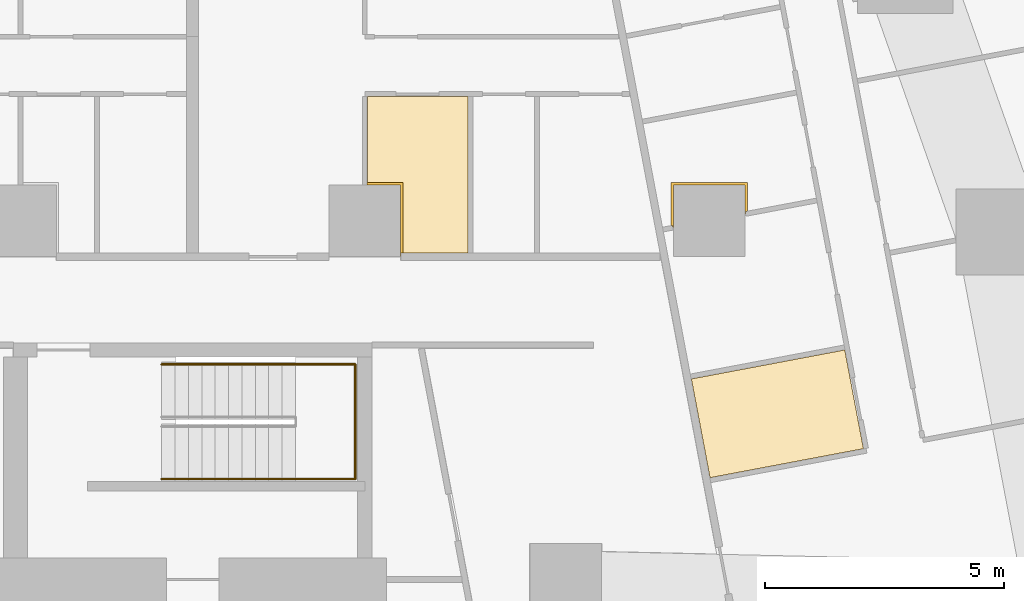
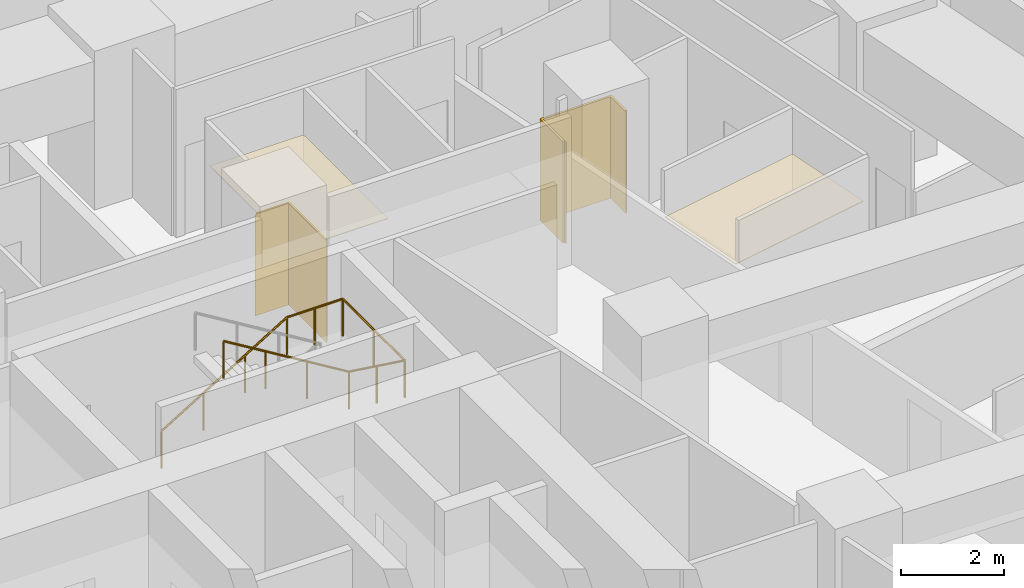
# One storey, part 15 of 15: 4 coverings, 1 railing.
"""IFC4 building model written with IfcOpenShell, lengths in metres."""

import ifcopenshell
import ifcopenshell.guid

model = None  # the IFC model being written
_history = None  # IfcOwnerHistory: only IFC2X3 demands one
_inside = {}  # id of a spatial element -> (the spatial element, [elements in it])
_under = {}  # id of a project, library or spatial element -> (it, [spatial elements below it])
_declared = {}  # id of a project -> (the project, [libraries it declares])
_typed = {}  # id of a type object -> (the type object, [elements of that type])
_made_of = {}  # id of a material, layer set ... -> (it, [elements and type objects made of it])


def new_model(schema):
    """Start an empty IFC model of exactly this schema.

    Asked for "IFC4X3", IfcOpenShell would pick the latest addendum, in which some entities
    have other attributes; the version numbers below select the first issue.
    IFC2X3 requires an IfcOwnerHistory on every rooted entity: one is made here for all.
    """
    global model, _history
    if schema == "IFC4X3":
        model = ifcopenshell.file(schema_version=(4, 3, 0, 0))
    else:
        model = ifcopenshell.file(schema=schema)
    _inside.clear()
    _under.clear()
    _declared.clear()
    _typed.clear()
    _made_of.clear()
    _history = None
    if model.schema == "IFC2X3":
        org = make("IfcOrganization", Name="unknown")
        user = make(
            "IfcPersonAndOrganization",
            ThePerson=make("IfcPerson", FamilyName="unknown"),
            TheOrganization=org,
        )
        app = make(
            "IfcApplication",
            ApplicationDeveloper=org,
            Version="unknown",
            ApplicationFullName="unknown",
            ApplicationIdentifier="unknown",
        )
        _history = make(
            "IfcOwnerHistory",
            OwningUser=user,
            OwningApplication=app,
            ChangeAction="ADDED",
            CreationDate=0,
        )
    return model


def make(cls, **values):
    """One entity of the class cls with the attributes given. An attribute that is None is left unset."""
    return model.create_entity(
        cls, **{name: value for name, value in values.items() if value is not None}
    )


def rooted(cls, **values):
    """An entity with a GlobalId (a new one), such as an element, a storey or a relation."""
    return make(cls, GlobalId=ifcopenshell.guid.new(), OwnerHistory=_history, **values)


def si_unit(unit_type, name, prefix=None):
    """IfcSIUnit, for example si_unit("LENGTHUNIT", "METRE", prefix="MILLI")."""
    return make("IfcSIUnit", UnitType=unit_type, Prefix=prefix, Name=name)


def assignment(units):
    """IfcUnitAssignment: the units of a project."""
    return None if units is None else make("IfcUnitAssignment", Units=units)


def point(xyz):
    """IfcCartesianPoint."""
    return None if xyz is None else make("IfcCartesianPoint", Coordinates=xyz)


def direction(xyz):
    """IfcDirection."""
    return None if xyz is None else make("IfcDirection", DirectionRatios=xyz)


def frame(location, z_axis=None, x_axis=None):
    """IfcAxis2Placement3D, a coordinate frame: its origin and axes. An axis left out is left unset."""
    return make(
        "IfcAxis2Placement3D",
        Location=point(location),
        Axis=direction(z_axis),
        RefDirection=direction(x_axis),
    )


def frame_2d(location, x_axis=None):
    """IfcAxis2Placement2D, a coordinate frame in the plane: its origin and x axis."""
    return make(
        "IfcAxis2Placement2D", Location=point(location), RefDirection=direction(x_axis)
    )


def origin():
    """The frame at (0, 0, 0) with its axes left unset."""
    return frame((0.0, 0.0, 0.0))


def origin_2d():
    """The frame at (0, 0) in the plane with its x axis left unset."""
    return frame_2d((0.0, 0.0))


def place(relative_to, where):
    """IfcLocalPlacement: puts the frame where relative to a parent placement (None: the world)."""
    return make(
        "IfcLocalPlacement", PlacementRelTo=relative_to, RelativePlacement=where
    )


def context(
    kind, dimensions, precision=None, world=None, true_north=None, identifier=None
):
    """IfcGeometricRepresentationContext, for example the 3D "Model" context."""
    return make(
        "IfcGeometricRepresentationContext",
        ContextIdentifier=identifier,
        ContextType=kind,
        CoordinateSpaceDimension=dimensions,
        Precision=precision,
        WorldCoordinateSystem=world,
        TrueNorth=true_north,
    )


def subcontext(parent, identifier, kind, view, scale=None):
    """IfcGeometricRepresentationSubContext, for example "Body" below "Model"."""
    return make(
        "IfcGeometricRepresentationSubContext",
        ContextIdentifier=identifier,
        ContextType=kind,
        ParentContext=parent,
        TargetScale=scale,
        TargetView=view,
    )


def project(units=None, contexts=None):
    """IfcProject with its units and contexts."""
    return rooted(
        "IfcProject",
        Name="project",
        RepresentationContexts=contexts,
        UnitsInContext=assignment(units),
    )


def spatial(cls, under=None, at=None, **own):
    """A site, building, storey or space (cls), placed at a placement, below another one or the project."""
    s = rooted(cls, ObjectPlacement=at, **own)
    if under is not None:
        _under.setdefault(under.id(), (under, []))[1].append(s)
    return s


def polyline(points):
    """IfcPolyline through the points."""
    return make("IfcPolyline", Points=[point(p) for p in points])


def profile(cls, at=None, kind="AREA", **sizes):
    """A parametric profile (cls). Its sizes go by their IFC names, for example OverallWidth=200.0."""
    return make(cls, ProfileType=kind, Position=at, **sizes)


def circle(**sizes):
    """IfcCircleProfileDef."""
    return profile("IfcCircleProfileDef", **sizes)


def outline(outer, holes=None, kind="AREA"):
    """IfcArbitraryClosedProfileDef: a profile drawn as a closed curve; with holes, ...WithVoids."""
    if holes is None:
        return make("IfcArbitraryClosedProfileDef", ProfileType=kind, OuterCurve=outer)
    return make(
        "IfcArbitraryProfileDefWithVoids",
        ProfileType=kind,
        OuterCurve=outer,
        InnerCurves=holes,
    )


def extrude(swept, where, along, depth):
    """IfcExtrudedAreaSolid: the profile swept, set in the frame where, extruded along a direction by depth."""
    return make(
        "IfcExtrudedAreaSolid",
        SweptArea=swept,
        Position=where,
        ExtrudedDirection=direction(along),
        Depth=depth,
    )


def shape(context_of_items, identifier, shape_type, items):
    """IfcShapeRepresentation: the items that make up one representation, for example the "Body"."""
    return make(
        "IfcShapeRepresentation",
        ContextOfItems=context_of_items,
        RepresentationIdentifier=identifier,
        RepresentationType=shape_type,
        Items=items,
    )


def material(Name=None, Category=None):
    """IfcMaterial."""
    return make("IfcMaterial", Name=Name, Category=Category)


def layer(
    of_material, thickness, ventilated=None, Name=None, Category=None, Priority=None
):
    """IfcMaterialLayer: one layer of a wall or slab, of a material (None: an air gap)."""
    return make(
        "IfcMaterialLayer",
        Material=of_material,
        LayerThickness=thickness,
        IsVentilated=ventilated,
        Name=Name,
        Category=Category,
        Priority=Priority,
    )


def layer_set(layers, Name=None):
    """IfcMaterialLayerSet."""
    return make("IfcMaterialLayerSet", MaterialLayers=layers, LayerSetName=Name)


def made_of(thing, what):
    """Note that an element or type object is made of a material, layer set ...; save() writes the relation."""
    if what is not None:
        _made_of.setdefault(what.id(), (what, []))[1].append(thing)
    return thing


def type_object(cls, material=None, **own):
    """A type object (cls), such as IfcWallType, which elements share."""
    return made_of(rooted(cls, **own), material)


def element(
    cls,
    number,
    at=None,
    inside=None,
    cuts=None,
    type_object=None,
    material=None,
    context=None,
    identifier="Body",
    shape_type=None,
    held_by="IfcProductDefinitionShape",
    body=None,
    shapes=None,
    **own,
):
    """One element of the class cls, such as IfcWall. Its Tag is "e" and its number.

    at: its placement. inside: the storey or other place that contains it. cuts: it is an
    opening in that element (IfcRelVoidsElement). A single representation is given by context,
    identifier, shape_type and body (its items); several are given by shapes. held_by: the class
    of the entity that holds the representations. save() writes the other relations.
    """
    e = rooted(cls, Tag="e%d" % number, ObjectPlacement=at, **own)
    if body is not None:
        shapes = [shape(context, identifier, shape_type, body)]
    if shapes is not None:
        e.Representation = make(held_by, Representations=shapes)
    if inside is not None:
        _inside.setdefault(inside.id(), (inside, []))[1].append(e)
    if cuts is not None:
        rooted(
            "IfcRelVoidsElement", RelatingBuildingElement=cuts, RelatedOpeningElement=e
        )
    if type_object is not None:
        _typed.setdefault(type_object.id(), (type_object, []))[1].append(e)
    return made_of(e, material)


def aggregate(whole, parts):
    """IfcRelAggregates: a whole, such as a stair, and the parts it consists of."""
    return rooted("IfcRelAggregates", RelatingObject=whole, RelatedObjects=parts)


def save(model, path):
    """Write the relations noted so far, then the file.

    IfcRelAggregates (storeys below a building ...), IfcRelContainedInSpatialStructure (elements
    in a storey), IfcRelDefinesByType, IfcRelAssociatesMaterial and IfcRelDeclares: one each for
    every whole, place, type object, material and project.
    """
    for whole, parts in _under.values():
        aggregate(whole, parts)
    for where, things in _inside.values():
        rooted(
            "IfcRelContainedInSpatialStructure",
            RelatedElements=things,
            RelatingStructure=where,
        )
    for kind, things in _typed.values():
        rooted("IfcRelDefinesByType", RelatedObjects=things, RelatingType=kind)
    for what, things in _made_of.values():
        rooted("IfcRelAssociatesMaterial", RelatedObjects=things, RelatingMaterial=what)
    for by, libraries in _declared.values():
        rooted("IfcRelDeclares", RelatingContext=by, RelatedDefinitions=libraries)
    model.write(path)


model = new_model("IFC4")

# Units and contexts
model_context = context("Model", 3, precision=1e-05, world=origin(), true_north=direction((0.0, 1.0)))
body_context = subcontext(model_context, "Body", "Model", "MODEL_VIEW")
ifc_project = project(units=[si_unit("LENGTHUNIT", "METRE"), si_unit("AREAUNIT", "SQUARE_METRE"), si_unit("VOLUMEUNIT", "CUBIC_METRE"), si_unit("PLANEANGLEUNIT", "RADIAN"), si_unit("MASSUNIT", "GRAM", prefix="KILO")], contexts=[model_context])

# Site, building, storey
site_placement = place(None, origin())
site = spatial("IfcSite", under=ifc_project, at=site_placement, CompositionType="ELEMENT")
building_placement = place(site_placement, origin())
building = spatial("IfcBuilding", under=site, at=building_placement, Name="Sheger Commons Tower", CompositionType="ELEMENT")
storey_placement = place(building_placement, frame((0.0, 0.0, 150.800048828125)))
storey = spatial("IfcBuildingStorey", under=building, at=storey_placement, Name="L38", CompositionType="ELEMENT", Elevation=150.800048828125)

# Railing
ifc_material_1 = material(Name="Steel handrail, black powder-coated", Category="steel")
railing_type = type_object("IfcRailingType", Name="HANDRAIL 900", PredefinedType="HANDRAIL", material=ifc_material_1)
railing_placement = place(storey_placement, frame((24.550048828125, 34.5, 0.17041015625)))
element("IfcRailing", 1, at=railing_placement, inside=storey, type_object=railing_type, Name="Stair S2 handrail L38", PredefinedType="HANDRAIL", context=body_context, shape_type="SweptSolid", body=[
    extrude(circle(Radius=0.02392578125, at=origin_2d()), frame((0.0, 0.0, 0.8759765625), z_axis=(0.854169791009, 0.0, 0.51999420009), x_axis=(0.0, 1.0, 0.0)), (0.0, 0.0, 1.0), 3.278076171875),
    extrude(circle(Radius=0.02392578125, at=origin_2d()), frame((2.800048828125, 0.0, 2.58056640625), z_axis=(1.0, 0.0, 0.0), x_axis=(0.0, 1.0, 0.0)), (0.0, 0.0, 1.0), 1.25),
    extrude(circle(Radius=0.02392578125, at=origin_2d()), frame((4.050048828125, 0.0, 2.58056640625), z_axis=(0.0, -1.0, 0.0), x_axis=(1.0, 0.0, 0.0)), (0.0, 0.0, 1.0), 2.39990234375),
    extrude(circle(Radius=0.02392578125, at=origin_2d()), frame((4.050048828125, -2.39990234375, 2.58056640625), z_axis=(-0.990834877927, 0.0, 0.135078661092), x_axis=(0.0, -1.0, 0.0)), (0.0, 0.0, 1.0), 1.261474609375),
    extrude(circle(Radius=0.02392578125, at=origin_2d()), frame((2.800048828125, -2.39990234375, 2.7509765625), z_axis=(-0.854169791009, 0.0, 0.51999420009), x_axis=(0.0, -1.0, 0.0)), (0.0, 0.0, 1.0), 3.278076171875),
    extrude(circle(Radius=0.02099609375, at=origin_2d()), origin(), (0.0, 0.0, 1.0), 0.851806640625),
    extrude(circle(Radius=0.02099609375, at=origin_2d()), frame((0.933349609375, 0.0, 0.568115234375)), (0.0, 0.0, 1.0), 0.851806640625),
    extrude(circle(Radius=0.02099609375, at=origin_2d()), frame((1.86669921875, 0.0, 1.136474609375)), (0.0, 0.0, 1.0), 0.851806640625),
    extrude(circle(Radius=0.02099609375, at=origin_2d()), frame((2.800048828125, 0.0, 1.70458984375)), (0.0, 0.0, 1.0), 0.851806640625),
    extrude(circle(Radius=0.02099609375, at=origin_2d()), frame((3.425048828125, 0.0, 1.70458984375)), (0.0, 0.0, 1.0), 0.851806640625),
    extrude(circle(Radius=0.02099609375, at=origin_2d()), frame((4.050048828125, 0.0, 1.70458984375)), (0.0, 0.0, 1.0), 0.851806640625),
    extrude(circle(Radius=0.02099609375, at=origin_2d()), frame((4.050048828125, -1.199951171875, 1.70458984375)), (0.0, 0.0, 1.0), 0.851806640625),
    extrude(circle(Radius=0.02099609375, at=origin_2d()), frame((4.050048828125, -2.39990234375, 1.70458984375)), (0.0, 0.0, 1.0), 0.851806640625),
    extrude(circle(Radius=0.02099609375, at=origin_2d()), frame((3.425048828125, -2.39990234375, 1.789794921875)), (0.0, 0.0, 1.0), 0.851806640625),
    extrude(circle(Radius=0.02099609375, at=origin_2d()), frame((2.800048828125, -2.39990234375, 1.875)), (0.0, 0.0, 1.0), 0.851806640625),
    extrude(circle(Radius=0.02099609375, at=origin_2d()), frame((1.86669921875, -2.39990234375, 2.443115234375)), (0.0, 0.0, 1.0), 0.851806640625),
    extrude(circle(Radius=0.02099609375, at=origin_2d()), frame((0.933349609375, -2.39990234375, 3.011474609375)), (0.0, 0.0, 1.0), 0.851806640625),
    extrude(circle(Radius=0.02099609375, at=origin_2d()), frame((0.0, -2.39990234375, 3.57958984375)), (0.0, 0.0, 1.0), 0.851806640625),
])

# Coverings
ifc_material_2 = material(Name="Moisture-resistant gypsum plasterboard 15 mm on a suspended galvanised steel grid", Category="steel")
ifc_layer_1 = layer(ifc_material_2, 0.014892578125)
ifc_layer_set_1 = layer_set([ifc_layer_1], Name="MOISTURE-RESISTANT CEILING 15")
covering_type_1 = type_object("IfcCoveringType", Name="MOISTURE-RESISTANT CEILING 15", PredefinedType="CEILING", material=ifc_layer_set_1)
covering_1_placement = place(storey_placement, frame((0.0, 0.0, 2.39990234375)))
element("IfcCovering", 2, at=covering_1_placement, inside=storey, type_object=covering_type_1, Name="L38-07.B1 ceiling", PredefinedType="CEILING", context=body_context, shape_type="SweptSolid", body=[
    extrude(outline(polyline([(36.01708984375, 32.1298828125), (39.22412109375, 32.736083984375), (38.833984375, 34.800048828125), (35.626953125, 34.194091796875), (36.01708984375, 32.1298828125)])), origin(), (0.0, 0.0, 1.0), 0.01513671875),
])
covering_2_placement = place(storey_placement, frame((0.0, 0.0, 2.39990234375)))
element("IfcCovering", 3, at=covering_2_placement, inside=storey, type_object=covering_type_1, Name="L38-12.B1 ceiling", PredefinedType="CEILING", context=body_context, shape_type="SweptSolid", body=[
    extrude(outline(polyline([(29.554931640625, 36.830078125), (30.955078125, 36.830078125), (30.955078125, 40.094970703125), (28.85498046875, 40.094970703125), (28.85498046875, 38.2548828125), (29.554931640625, 38.2548828125), (29.554931640625, 36.830078125)])), origin(), (0.0, 0.0, 1.0), 0.01513671875),
])
ifc_material_3 = material(Name="Moisture-resistant gypsum board 12.5 mm on 25 mm treated timber battens, tanked and tiled", Category="wood")
ifc_layer_2 = layer(ifc_material_3, 0.050048828125)
ifc_layer_set_2 = layer_set([ifc_layer_2], Name="WET-ROOM COLUMN LINING")
covering_type_2 = type_object("IfcCoveringType", Name="WET-ROOM COLUMN LINING", PredefinedType="CLADDING", material=ifc_layer_set_2)
covering_3_placement = place(storey_placement, origin())
element("IfcCovering", 4, at=covering_3_placement, inside=storey, type_object=covering_type_2, Name="Bathroom column lining C10 L38", PredefinedType="CLADDING", context=body_context, shape_type="SweptSolid", body=[
    extrude(outline(polyline([(29.60009765625, 36.824951171875), (29.551025390625, 36.824951171875), (29.551025390625, 36.75), (29.550048828125, 36.75), (29.550048828125, 38.25), (28.800048828125, 38.25), (28.800048828125, 38.2509765625), (28.85009765625, 38.2509765625), (28.85009765625, 38.300048828125), (29.60009765625, 38.300048828125), (29.60009765625, 36.824951171875)])), origin(), (0.0, 0.0, 1.0), 2.39990234375),
])
covering_4_placement = place(storey_placement, origin())
element("IfcCovering", 5, at=covering_4_placement, inside=storey, type_object=covering_type_2, Name="Laundry room column lining C10 L38", PredefinedType="CLADDING", context=body_context, shape_type="SweptSolid", body=[
    extrude(outline(polyline([(36.800048828125, 38.300048828125), (36.800048828125, 37.701904296875), (36.7509765625, 37.693115234375), (36.760009765625, 37.64404296875), (36.75, 37.64208984375), (36.75, 38.25), (35.25, 38.25), (35.25, 37.35791015625), (35.239990234375, 37.35595703125), (35.23095703125, 37.405029296875), (35.199951171875, 37.39892578125), (35.199951171875, 38.300048828125), (36.800048828125, 38.300048828125)])), origin(), (0.0, 0.0, 1.0), 2.39990234375),
])

save(model, "model.ifc")
